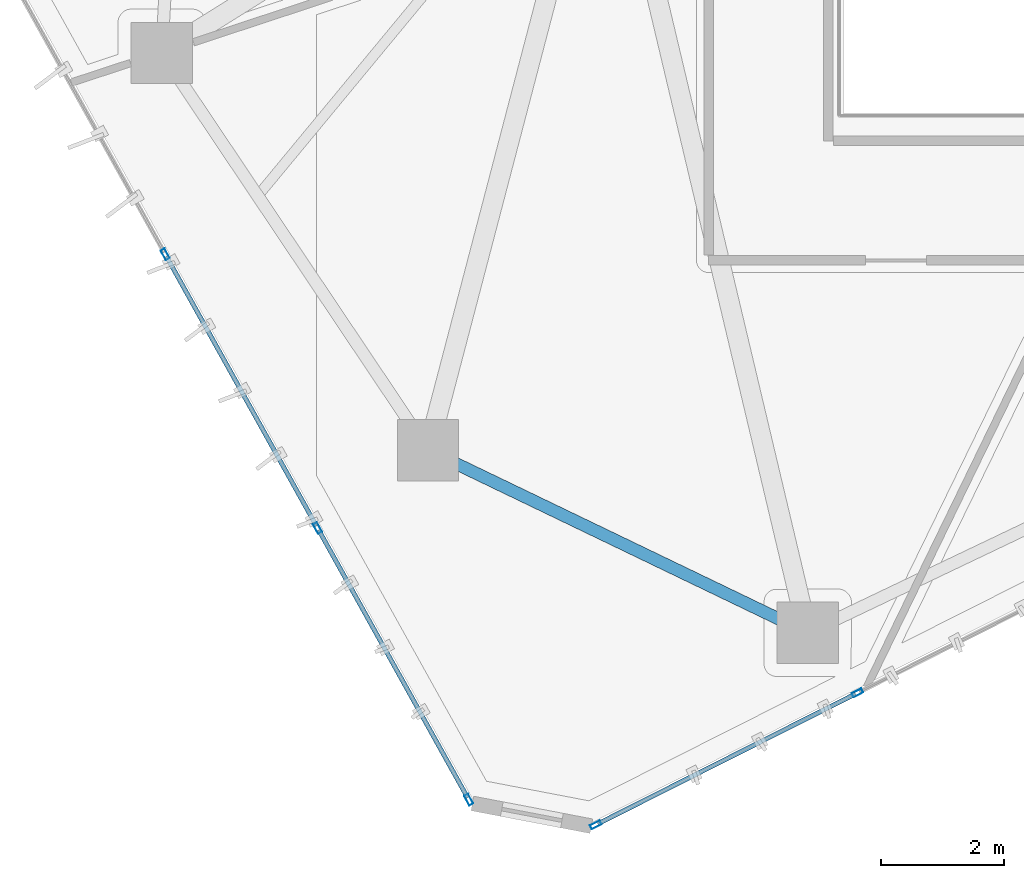
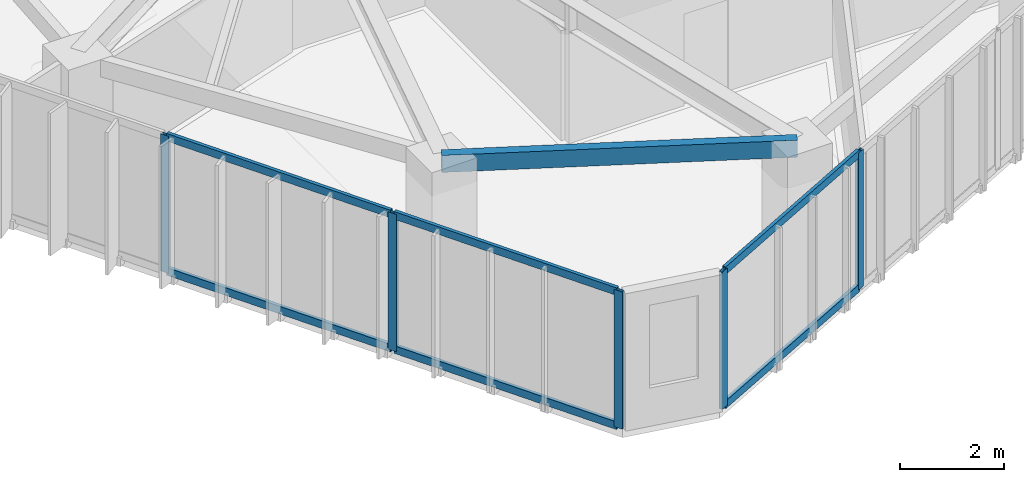
# One storey, part 2 of 20: 11 members, 1 beam, 2 elements without a shape of their own.
"""IFC4 building model written with IfcOpenShell, lengths in metres."""

from ifc_helpers import new_model, si_unit, direction, frame, origin, origin_2d, place, context, subcontext, project, spatial, hollow_rectangle, extrude, source, transform, mapped, material, layer, layer_set, material_profile, profile_set, type_object, type_shapes, element, aggregate, save


model = new_model("IFC4")

# Units and contexts
model_context = context("Model", 3, precision=1e-05, world=origin(), true_north=direction((0.0, 1.0)))
body_context = subcontext(model_context, "Body", "Model", "MODEL_VIEW")
ifc_project = project(units=[si_unit("LENGTHUNIT", "METRE"), si_unit("AREAUNIT", "SQUARE_METRE"), si_unit("VOLUMEUNIT", "CUBIC_METRE"), si_unit("PLANEANGLEUNIT", "RADIAN"), si_unit("MASSUNIT", "GRAM", prefix="KILO")], contexts=[model_context])

# Site, building, storey
site_placement = place(None, origin())
site = spatial("IfcSite", under=ifc_project, at=site_placement, CompositionType="ELEMENT")
building_placement = place(site_placement, origin())
building = spatial("IfcBuilding", under=site, at=building_placement, Name="Talar Marvaseh", CompositionType="ELEMENT")
storey_placement = place(building_placement, frame((0.0, 0.0, 170.5)))
storey = spatial("IfcBuildingStorey", under=building, at=storey_placement, Name="L44", CompositionType="ELEMENT", Elevation=170.5)

# Beam
ifc_material_1 = material(Name="Steel S355", Category="steel")
ifc_material_profile_1 = material_profile(ifc_material_1, hollow_rectangle(XDim=0.199951171875, YDim=0.39990234375, WallThickness=0.013916015625, at=origin_2d()), Name="RHS400x200x14")
ifc_profile_set_1 = profile_set([ifc_material_profile_1], Name="Steel S355")
beam_type = type_object("IfcBeamType", Name="Zone 3 Perimeter Spandrel Beam RHS400x200x14", PredefinedType="SPANDREL", material=ifc_profile_set_1)
beam_placement = place(storey_placement, frame((22.014892578125, 11.51904296875, 3.030029296875), z_axis=(-0.901071562993, 0.433670425975, 0.0), x_axis=(-0.433670425975, -0.901071562993, 0.0)))
element("IfcBeam", 1, at=beam_placement, inside=storey, type_object=beam_type, Name="L44 Zone 3 Perimeter Spandrel Beam RHS400x200x14", PredefinedType="SPANDREL", context=body_context, shape_type="SweptSolid", body=[
    extrude(hollow_rectangle(XDim=0.199951171875, YDim=0.39990234375, WallThickness=0.013916015625, at=origin_2d()), origin(), (0.0, 0.0, 1.0), 6.8759765625),
])

# Curtain wall, members
ifc_material_2 = material(Name="Architectural Aluminium", Category="aluminium")
ifc_layer = layer(ifc_material_2, 0.18994140625)
ifc_layer_set = layer_set([ifc_layer], Name="Architectural Aluminium")
curtain_wall_type = type_object("IfcCurtainWallType", Name="Unitised Solar Atelier Curtain Wall Z3", PredefinedType="NOTDEFINED", material=ifc_layer_set)
curtain_wall_1_placement = place(storey_placement, origin())
curtain_wall_1 = element("IfcCurtainWall", 2, at=curtain_wall_1_placement, inside=storey, type_object=curtain_wall_type, Name="L44 Unitised Solar Atelier Curtain Wall Z3", PredefinedType="NOTDEFINED")
ifc_material_profile_2 = material_profile(ifc_material_2, hollow_rectangle(XDim=0.074951171875, YDim=0.179931640625, WallThickness=0.0048828125, at=origin_2d()), Name="RHS180x75x5")
ifc_profile_set_2 = profile_set([ifc_material_profile_2], Name="Architectural Aluminium")
member_type_1 = type_object("IfcMemberType", Name="Unitised Curtain Wall Standard Mullion RHS180x75x5", PredefinedType="MULLION", material=ifc_profile_set_2)
shared_shape_1 = source(origin(), body_context, "Body", "SweptSolid", [
    extrude(hollow_rectangle(XDim=0.074951171875, YDim=0.179931640625, WallThickness=0.0048828125, at=origin_2d()), origin(), (0.0, 0.0, 1.0), 3.22998046875),
])
type_shapes(member_type_1, [shared_shape_1])
member_1_placement = place(storey_placement, frame((16.482421875, 8.7958984375, 0.0), z_axis=(0.0, 0.0, 1.0), x_axis=(-0.87380494121, -0.486276592813, 0.0)))
member_1 = element("IfcMember", 3, at=member_1_placement, type_object=member_type_1, Name="CW-Z3 mullion 1", PredefinedType="MULLION", context=body_context, shape_type="MappedRepresentation", body=[
    mapped(shared_shape_1, transform((0.0, 0.0, 0.0), x_axis=(1.0, 0.0, 0.0), y_axis=(0.0, 1.0, 0.0), z_axis=(0.0, 0.0, 1.0), scale=1.0)),
])
member_2_placement = place(storey_placement, frame((14.014404296875, 13.23095703125, 0.0), z_axis=(0.0, 0.0, 1.0), x_axis=(-0.87380494121, -0.486276592813, 0.0)))
member_2 = element("IfcMember", 4, at=member_2_placement, type_object=member_type_1, Name="CW-Z3 mullion 2", PredefinedType="MULLION", context=body_context, shape_type="MappedRepresentation", body=[
    mapped(shared_shape_1, transform((0.0, 0.0, 0.0), x_axis=(1.0, 0.0, 0.0), y_axis=(0.0, 1.0, 0.0), z_axis=(0.0, 0.0, 1.0), scale=1.0)),
])
member_3_placement = place(storey_placement, frame((11.528076171875, 17.69873046875, 0.0), z_axis=(0.0, 0.0, 1.0), x_axis=(-0.87380494121, -0.486276592813, 0.0)))
member_3 = element("IfcMember", 5, at=member_3_placement, type_object=member_type_1, Name="CW-Z3 mullion 3", PredefinedType="MULLION", context=body_context, shape_type="MappedRepresentation", body=[
    mapped(shared_shape_1, transform((0.0, 0.0, 0.0), x_axis=(1.0, 0.0, 0.0), y_axis=(0.0, 1.0, 0.0), z_axis=(0.0, 0.0, 1.0), scale=1.0)),
])

curtain_wall_2_placement = place(storey_placement, origin())
curtain_wall_2 = element("IfcCurtainWall", 6, at=curtain_wall_2_placement, inside=storey, type_object=curtain_wall_type, Name="L44 Unitised Solar Atelier Curtain Wall Z3", PredefinedType="NOTDEFINED")
member_4_placement = place(storey_placement, frame((22.828369140625, 10.538330078125, 0.0), z_axis=(0.0, 0.0, 1.0), x_axis=(0.450234656041, -0.892910272367, 0.0)))
member_4 = element("IfcMember", 7, at=member_4_placement, type_object=member_type_1, Name="CW-Z3 mullion 4", PredefinedType="MULLION", context=body_context, shape_type="MappedRepresentation", body=[
    mapped(shared_shape_1, transform((0.0, 0.0, 0.0), x_axis=(1.0, 0.0, 0.0), y_axis=(0.0, 1.0, 0.0), z_axis=(0.0, 0.0, 1.0), scale=1.0)),
])
member_5_placement = place(storey_placement, frame((18.55615234375, 8.38427734375, 0.0), z_axis=(0.0, 0.0, 1.0), x_axis=(0.450234656041, -0.892910272367, 0.0)))
member_5 = element("IfcMember", 8, at=member_5_placement, type_object=member_type_1, Name="CW-Z3 mullion 5", PredefinedType="MULLION", context=body_context, shape_type="MappedRepresentation", body=[
    mapped(shared_shape_1, transform((0.0, 0.0, 0.0), x_axis=(1.0, 0.0, 0.0), y_axis=(0.0, 1.0, 0.0), z_axis=(0.0, 0.0, 1.0), scale=1.0)),
])

# Member
ifc_material_profile_3 = material_profile(ifc_material_2, hollow_rectangle(XDim=0.074951171875, YDim=0.179931640625, WallThickness=0.0048828125, at=origin_2d()), Name="RHS180x75x5")
ifc_profile_set_3 = profile_set([ifc_material_profile_3], Name="Architectural Aluminium")
member_type_2 = type_object("IfcMemberType", Name="Unitised Curtain Wall Transom RHS180x75x5", PredefinedType="USERDEFINED", material=ifc_profile_set_3)
shared_shape_2 = source(origin(), body_context, "Body", "SweptSolid", [
    extrude(hollow_rectangle(XDim=0.074951171875, YDim=0.179931640625, WallThickness=0.0048828125, at=origin_2d()), origin(), (0.0, 0.0, 1.0), 5.000244140625),
])
member_6_placement = place(storey_placement, frame((16.464111328125, 8.82861328125, 0.03759765625), z_axis=(-0.486248060386, 0.87382081903, 0.0), x_axis=(-0.87382081903, -0.486248060386, 0.0)))
member_6 = element("IfcMember", 9, at=member_6_placement, type_object=member_type_2, Name="CW-Z3 transom 1.1", ObjectType="TRANSOM", PredefinedType="USERDEFINED", context=body_context, shape_type="MappedRepresentation", body=[
    mapped(shared_shape_2, transform((0.0, 0.0, 0.0), x_axis=(1.0, 0.0, 0.0), y_axis=(0.0, 1.0, 0.0), z_axis=(0.0, 0.0, 1.0), scale=1.0)),
])

member_7_placement = place(storey_placement, frame((16.464111328125, 8.82861328125, 3.1923828125), z_axis=(-0.486248060386, 0.87382081903, 0.0), x_axis=(-0.87382081903, -0.486248060386, 0.0)))
member_7 = element("IfcMember", 10, at=member_7_placement, type_object=member_type_2, Name="CW-Z3 transom 1.2", ObjectType="TRANSOM", PredefinedType="USERDEFINED", context=body_context, shape_type="MappedRepresentation", body=[
    mapped(shared_shape_2, transform((0.0, 0.0, 0.0), x_axis=(1.0, 0.0, 0.0), y_axis=(0.0, 1.0, 0.0), z_axis=(0.0, 0.0, 1.0), scale=1.0)),
])

shared_shape_3 = source(origin(), body_context, "Body", "SweptSolid", [
    extrude(hollow_rectangle(XDim=0.074951171875, YDim=0.179931640625, WallThickness=0.0048828125, at=origin_2d()), origin(), (0.0, 0.0, 1.0), 5.037841796875),
])
member_8_placement = place(storey_placement, frame((13.99609375, 13.263671875, 0.03759765625), z_axis=(-0.486264123345, 0.873811880411, 0.0), x_axis=(-0.873811880411, -0.486264123345, 0.0)))
member_8 = element("IfcMember", 11, at=member_8_placement, type_object=member_type_2, Name="CW-Z3 transom 2.1", ObjectType="TRANSOM", PredefinedType="USERDEFINED", context=body_context, shape_type="MappedRepresentation", body=[
    mapped(shared_shape_3, transform((0.0, 0.0, 0.0), x_axis=(1.0, 0.0, 0.0), y_axis=(0.0, 1.0, 0.0), z_axis=(0.0, 0.0, 1.0), scale=1.0)),
])

member_9_placement = place(storey_placement, frame((13.99609375, 13.263671875, 3.1923828125), z_axis=(-0.486264123345, 0.873811880411, 0.0), x_axis=(-0.873811880411, -0.486264123345, 0.0)))
member_9 = element("IfcMember", 12, at=member_9_placement, type_object=member_type_2, Name="CW-Z3 transom 2.2", ObjectType="TRANSOM", PredefinedType="USERDEFINED", context=body_context, shape_type="MappedRepresentation", body=[
    mapped(shared_shape_3, transform((0.0, 0.0, 0.0), x_axis=(1.0, 0.0, 0.0), y_axis=(0.0, 1.0, 0.0), z_axis=(0.0, 0.0, 1.0), scale=1.0)),
])

aggregate(curtain_wall_1, [member_1, member_2, member_3, member_6, member_7, member_8, member_9])

shared_shape_4 = source(origin(), body_context, "Body", "SweptSolid", [
    extrude(hollow_rectangle(XDim=0.074951171875, YDim=0.179931640625, WallThickness=0.0048828125, at=origin_2d()), origin(), (0.0, 0.0, 1.0), 4.709716796875),
])
type_shapes(member_type_2, [shared_shape_2, shared_shape_3, shared_shape_4])
member_10_placement = place(storey_placement, frame((22.794921875, 10.521484375, 0.03759765625), z_axis=(-0.892918819946, -0.45021770399, 0.0), x_axis=(0.45021770399, -0.892918819946, 0.0)))
member_10 = element("IfcMember", 13, at=member_10_placement, type_object=member_type_2, Name="CW-Z3 transom 4.1", ObjectType="TRANSOM", PredefinedType="USERDEFINED", context=body_context, shape_type="MappedRepresentation", body=[
    mapped(shared_shape_4, transform((0.0, 0.0, 0.0), x_axis=(1.0, 0.0, 0.0), y_axis=(0.0, 1.0, 0.0), z_axis=(0.0, 0.0, 1.0), scale=1.0)),
])

member_11_placement = place(storey_placement, frame((22.794921875, 10.521484375, 3.1923828125), z_axis=(-0.892918819946, -0.45021770399, 0.0), x_axis=(0.45021770399, -0.892918819946, 0.0)))
member_11 = element("IfcMember", 14, at=member_11_placement, type_object=member_type_2, Name="CW-Z3 transom 4.2", ObjectType="TRANSOM", PredefinedType="USERDEFINED", context=body_context, shape_type="MappedRepresentation", body=[
    mapped(shared_shape_4, transform((0.0, 0.0, 0.0), x_axis=(1.0, 0.0, 0.0), y_axis=(0.0, 1.0, 0.0), z_axis=(0.0, 0.0, 1.0), scale=1.0)),
])

aggregate(curtain_wall_2, [member_4, member_5, member_10, member_11])

save(model, "model.ifc")
